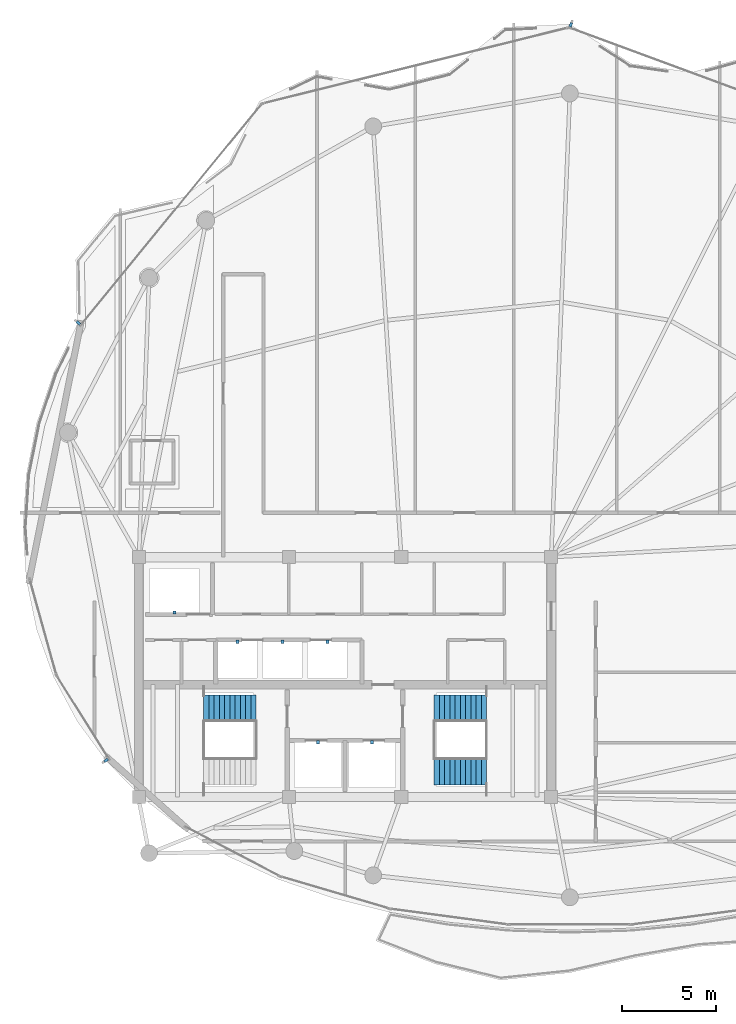
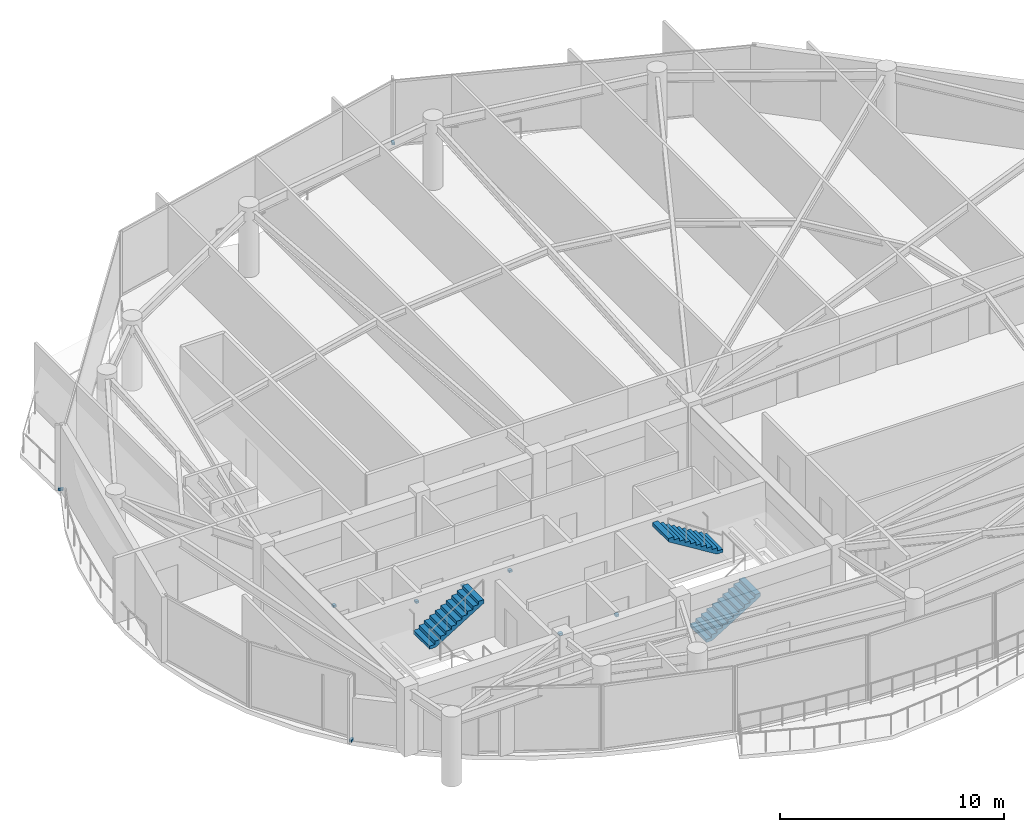
# One storey, part 26 of 29: 9 discrete accessories, 3 stair flights, 2 elements without a shape of their own.
"""IFC4 building model written with IfcOpenShell, lengths in metres."""

from ifc_helpers import new_model, si_unit, direction, frame, origin, origin_2d, place, context, subcontext, project, spatial, polyline, rectangle, outline, extrude, material, layer, layer_set, type_object, element, aggregate, save


model = new_model("IFC4")

# Units and contexts
model_context = context("Model", 3, precision=1e-05, world=origin(), true_north=direction((0.0, 1.0)))
body_context = subcontext(model_context, "Body", "Model", "MODEL_VIEW")
ifc_project = project(units=[si_unit("LENGTHUNIT", "METRE"), si_unit("AREAUNIT", "SQUARE_METRE"), si_unit("VOLUMEUNIT", "CUBIC_METRE"), si_unit("PLANEANGLEUNIT", "RADIAN"), si_unit("MASSUNIT", "GRAM", prefix="KILO")], contexts=[model_context])

# Site, building, storey
site_placement = place(None, origin())
site = spatial("IfcSite", under=ifc_project, at=site_placement, CompositionType="ELEMENT")
building_placement = place(site_placement, origin())
building = spatial("IfcBuilding", under=site, at=building_placement, Name="Kazevale Care Tower and Concert Hall", CompositionType="ELEMENT")
storey_placement = place(building_placement, frame((0.0, 0.0, 285.199951171875)))
storey = spatial("IfcBuildingStorey", under=building, at=storey_placement, Name="L75", CompositionType="ELEMENT", Elevation=285.199951171875)

# Stair, stair flight
ifc_material_1 = material(Name="Concrete C40", Category="concrete")
stair_type = type_object("IfcStairType", Name="Exit Stair Assembly ST1-U", PredefinedType="HALF_TURN_STAIR", material=ifc_material_1)
stair_1_placement = place(storey_placement, origin())
stair_1 = element("IfcStair", 1, at=stair_1_placement, inside=storey, type_object=stair_type, Name="stair:L75:ST1", PredefinedType="HALF_TURN_STAIR")
ifc_layer = layer(ifc_material_1, 0.159912109375)
ifc_layer_set = layer_set([ifc_layer], Name="Concrete C40")
stair_flight_type = type_object("IfcStairFlightType", Name="Exit Stair Flight ST1-U", PredefinedType="STRAIGHT", material=ifc_layer_set)
stair_flight_1_placement = place(storey_placement, frame((25.449951171875, 28.330078125, 1.900146484375), z_axis=(0.0, 0.0, 1.0), x_axis=(1.0, 0.0, 0.0)))
stair_flight_1 = element("IfcStairFlight", 2, at=stair_flight_1_placement, type_object=stair_flight_type, Name="ST1-U flight 2", NumberOfRisers=11, NumberOfTreads=10, PredefinedType="STRAIGHT", RiserHeight=0.172727, TreadLength=0.28, context=body_context, shape_type="SweptSolid", body=[
    extrude(outline(polyline([(0.0, 0.0), (0.0, 0.172607421875), (0.280029296875, 0.172607421875), (0.280029296875, 0.345458984375), (0.56005859375, 0.345458984375), (0.56005859375, 0.51806640625), (0.840087890625, 0.51806640625), (0.840087890625, 0.69091796875), (1.1201171875, 0.69091796875), (1.1201171875, 0.863525390625), (1.39990234375, 0.863525390625), (1.39990234375, 1.036376953125), (1.679931640625, 1.036376953125), (1.679931640625, 1.208984375), (1.9599609375, 1.208984375), (1.9599609375, 1.3818359375), (2.239990234375, 1.3818359375), (2.239990234375, 1.554443359375), (2.52001953125, 1.554443359375), (2.52001953125, 1.727294921875), (2.800048828125, 1.727294921875), (2.800048828125, 1.89990234375), (2.800048828125, 1.539306640625), (0.3046875, 0.0), (0.0, 0.0)])), frame((0.0, 0.719970703125, 0.0), z_axis=(0.0, -1.0, 0.0), x_axis=(1.0, 0.0, 0.0)), (0.0, 0.0, 1.0), 1.43994140625),
])
aggregate(stair_1, [stair_flight_1])

# Stair, stair flights
stair_2_placement = place(storey_placement, origin())
stair_2 = element("IfcStair", 3, at=stair_2_placement, inside=storey, type_object=stair_type, Name="stair:L75:ST2", PredefinedType="HALF_TURN_STAIR")
stair_flight_2_placement = place(storey_placement, frame((37.75, 24.969970703125, 0.0), z_axis=(0.0, 0.0, 1.0), x_axis=(1.0, 0.0, 0.0)))
stair_flight_2 = element("IfcStairFlight", 4, at=stair_flight_2_placement, type_object=stair_flight_type, Name="ST1-U flight 1", NumberOfRisers=11, NumberOfTreads=10, PredefinedType="STRAIGHT", RiserHeight=0.172727, TreadLength=0.28, context=body_context, shape_type="SweptSolid", body=[
    extrude(outline(polyline([(0.0, 0.0), (0.0, 0.172607421875), (0.280029296875, 0.172607421875), (0.280029296875, 0.345458984375), (0.56005859375, 0.345458984375), (0.56005859375, 0.51806640625), (0.840087890625, 0.51806640625), (0.840087890625, 0.69091796875), (1.1201171875, 0.69091796875), (1.1201171875, 0.863525390625), (1.39990234375, 0.863525390625), (1.39990234375, 1.036376953125), (1.679931640625, 1.036376953125), (1.679931640625, 1.208984375), (1.9599609375, 1.208984375), (1.9599609375, 1.3818359375), (2.239990234375, 1.3818359375), (2.239990234375, 1.554443359375), (2.52001953125, 1.554443359375), (2.52001953125, 1.727294921875), (2.800048828125, 1.727294921875), (2.800048828125, 1.89990234375), (2.800048828125, 1.539306640625), (0.3046875, 0.0), (0.0, 0.0)])), frame((0.0, 0.719970703125, 0.0), z_axis=(0.0, -1.0, 0.0), x_axis=(1.0, 0.0, 0.0)), (0.0, 0.0, 1.0), 1.43994140625),
])
stair_flight_3_placement = place(storey_placement, frame((40.550048828125, 28.330078125, 1.900146484375), z_axis=(0.0, 0.0, 1.0), x_axis=(-1.0, 0.0, 0.0)))
stair_flight_3 = element("IfcStairFlight", 5, at=stair_flight_3_placement, type_object=stair_flight_type, Name="ST1-U flight 2", NumberOfRisers=11, NumberOfTreads=10, PredefinedType="STRAIGHT", RiserHeight=0.172727, TreadLength=0.28, context=body_context, shape_type="SweptSolid", body=[
    extrude(outline(polyline([(0.0, 0.0), (0.0, 0.172607421875), (0.280029296875, 0.172607421875), (0.280029296875, 0.345458984375), (0.56005859375, 0.345458984375), (0.56005859375, 0.51806640625), (0.840087890625, 0.51806640625), (0.840087890625, 0.69091796875), (1.1201171875, 0.69091796875), (1.1201171875, 0.863525390625), (1.39990234375, 0.863525390625), (1.39990234375, 1.036376953125), (1.679931640625, 1.036376953125), (1.679931640625, 1.208984375), (1.9599609375, 1.208984375), (1.9599609375, 1.3818359375), (2.239990234375, 1.3818359375), (2.239990234375, 1.554443359375), (2.52001953125, 1.554443359375), (2.52001953125, 1.727294921875), (2.800048828125, 1.727294921875), (2.800048828125, 1.89990234375), (2.800048828125, 1.539306640625), (0.3046875, 0.0), (0.0, 0.0)])), frame((0.0, 0.719970703125, 0.0), z_axis=(0.0, -1.0, 0.0), x_axis=(1.0, 0.0, 0.0)), (0.0, 0.0, 1.0), 1.43994140625),
])
aggregate(stair_2, [stair_flight_2, stair_flight_3])

# Discrete accessories
ifc_material_2 = material(Name="Stainless Steel 316", Category="steel")
discrete_accessory_type_1 = type_object("IfcDiscreteAccessoryType", Name="Facade Fin Stainless Anchor Bracket BRK-1", PredefinedType="BRACKET", material=ifc_material_2)
for number, where, z_axis, x_axis, name in (
    (6, (20.247802734375, 25.560302734375, 0.0), (0.0, 0.0, 1.0), (-0.846657866138, -0.532137630417, 0.0), "cw:L75:f11:brk"),
    (7, (18.766845703125, 48.902587890625, 0.0), (0.0, 0.0, 1.0), (-0.773840209727, 0.633380872628, 0.0), "cw:L75:f14:brk"),
    (8, (45.047607421875, 64.8125, 0.0), (0.0, 0.0, 1.0), (0.346935651573, 0.937888934612, 0.0), "cw:L75:f16:brk"),
):
    element("IfcDiscreteAccessory", number, at=place(storey_placement, frame(where, z_axis=z_axis, x_axis=x_axis)), inside=storey, type_object=discrete_accessory_type_1, Name=name, PredefinedType="BRACKET", context=body_context, shape_type="SweptSolid", body=[
        extrude(rectangle(XDim=0.239990234375, YDim=0.139892578125, at=origin_2d()), origin(), (0.0, 0.0, 1.0), 0.1201171875),
    ])
discrete_accessory_type_2 = type_object("IfcDiscreteAccessoryType", Name="Hoistway Guide-Rail Wall Bracket HBRK-1", PredefinedType="BRACKET", material=ifc_material_2)
for number, where, z_axis, x_axis, name in (
    (9, (31.550048828125, 26.52001953125, 1.239990234375), (0.0, 0.0, 1.0), (1.0, 0.0, 0.0), "hbrk:FFL-1:L75"),
    (10, (34.449951171875, 26.52001953125, 1.239990234375), (0.0, 0.0, 1.0), (1.0, 0.0, 0.0), "hbrk:FFL-2:L75"),
    (11, (23.89990234375, 33.449951171875, 1.239990234375), (0.0, 0.0, 1.0), (1.0, 0.0, 0.0), "hbrk:SVL-1:L75"),
    (12, (27.25, 31.8798828125, 1.239990234375), (0.0, 0.0, 1.0), (1.0, 0.0, 0.0), "hbrk:PH-1:L75"),
    (13, (29.64990234375, 31.8798828125, 1.239990234375), (0.0, 0.0, 1.0), (1.0, 0.0, 0.0), "hbrk:PH-2:L75"),
    (14, (32.050048828125, 31.8798828125, 1.239990234375), (0.0, 0.0, 1.0), (1.0, 0.0, 0.0), "hbrk:PH-3:L75"),
):
    element("IfcDiscreteAccessory", number, at=place(storey_placement, frame(where, z_axis=z_axis, x_axis=x_axis)), inside=storey, type_object=discrete_accessory_type_2, Name=name, PredefinedType="BRACKET", context=body_context, shape_type="SweptSolid", body=[
        extrude(rectangle(XDim=0.159912109375, YDim=0.179931640625, at=origin_2d()), origin(), (0.0, 0.0, 1.0), 0.1201171875),
    ])

save(model, "model.ifc")
